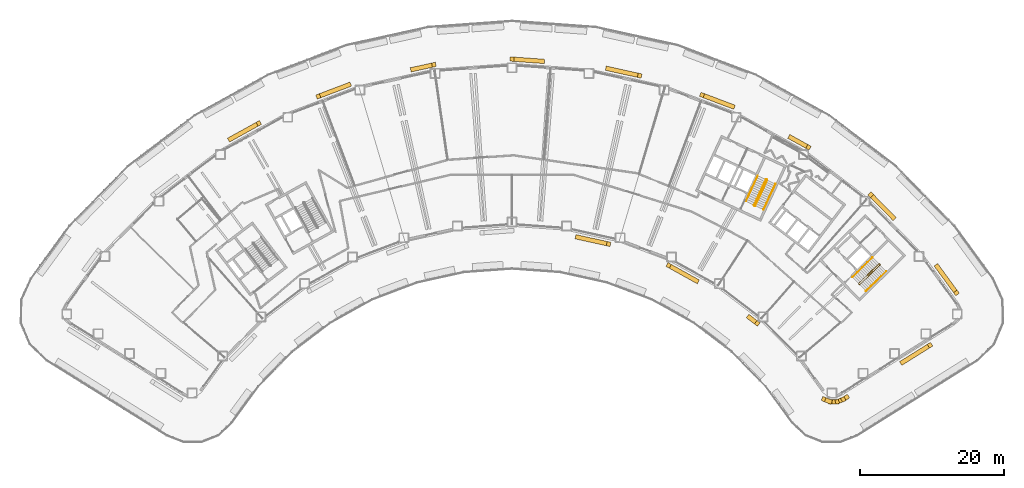
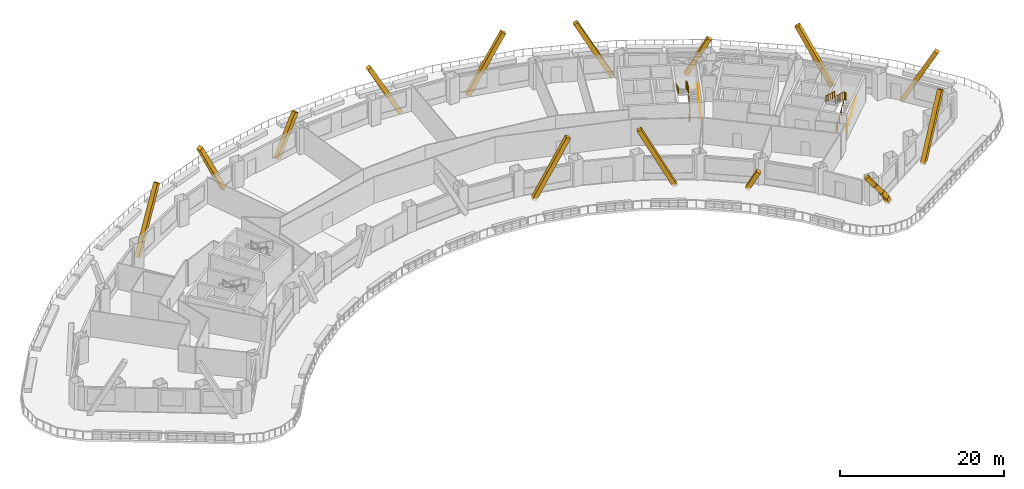
# One storey, part 11 of 12: 17 coverings, 6 railings.
"""IFC4 building model written with IfcOpenShell, lengths in metres."""

from ifc_helpers import new_model, si_unit, direction, frame, origin, origin_2d, place, context, subcontext, project, spatial, rectangle, circle, extrude, material, material_profile, profile_set, type_object, element, save


model = new_model("IFC4")

# Units and contexts
model_context = context("Model", 3, precision=1e-05, world=origin(), true_north=direction((0.0, 1.0)))
body_context = subcontext(model_context, "Body", "Model", "MODEL_VIEW")
ifc_project = project(units=[si_unit("LENGTHUNIT", "METRE"), si_unit("AREAUNIT", "SQUARE_METRE"), si_unit("VOLUMEUNIT", "CUBIC_METRE"), si_unit("PLANEANGLEUNIT", "RADIAN"), si_unit("MASSUNIT", "GRAM", prefix="KILO")], contexts=[model_context])

# Site, building, storey
site_placement = place(None, origin())
site = spatial("IfcSite", under=ifc_project, at=site_placement, CompositionType="ELEMENT")
building_placement = place(site_placement, origin())
building = spatial("IfcBuilding", under=site, at=building_placement, Name="Tuul Gate Civic Tower", CompositionType="ELEMENT")
storey_placement = place(building_placement, frame((0.0, 0.0, 31.5)))
storey = spatial("IfcBuildingStorey", under=building, at=storey_placement, Name="Level 06", CompositionType="ELEMENT", Elevation=31.5)

# Railings
ifc_material_1 = material(Name="Painted steel", Category="steel")
railing_type_1 = type_object("IfcRailingType", Name="Stair guard", PredefinedType="GUARDRAIL", material=ifc_material_1)
railing_1_placement = place(storey_placement, frame((48.10546875, -16.134765625, 0.0)))
element("IfcRailing", 1, at=railing_1_placement, inside=storey, type_object=railing_type_1, Name="Level 06 ST-3 stair guard 1", PredefinedType="GUARDRAIL", context=body_context, shape_type="SweptSolid", body=[
    extrude(circle(Radius=0.02392578125, at=origin_2d()), frame((0.0, 0.0, 1.076171875), z_axis=(-0.698506948293, 0.715603272202, 0.0), x_axis=(-0.715603272202, -0.698506948293, 0.0)), (0.0, 0.0, 1.0), 0.099853515625),
    extrude(circle(Radius=0.02392578125, at=origin_2d()), frame((-0.06982421875, 0.071533203125, 1.076171875), z_axis=(0.645446321009, -0.331687692741, 0.688027849131), x_axis=(0.457068866502, 0.889431307788, 0.0)), (0.0, 0.0, 1.0), 0.2177734375),
    extrude(circle(Radius=0.02392578125, at=origin_2d()), frame((0.07080078125, -0.000732421875, 1.22607421875), z_axis=(0.638715268259, 0.626117886127, 0.447235059857), x_axis=(-0.700029477518, 0.714113947914, 0.0)), (0.0, 0.0, 1.0), 4.360595703125),
    extrude(circle(Radius=0.02392578125, at=origin_2d()), frame((2.85595703125, 2.7294921875, 3.17626953125), z_axis=(0.010380063588, 0.999946125689, 0.0), x_axis=(-0.999946125689, 0.010380063588, 0.0)), (0.0, 0.0, 1.0), 0.070556640625),
    extrude(circle(Radius=0.02392578125, at=origin_2d()), frame((2.856689453125, 2.800048828125, 3.17626953125), z_axis=(-0.699754442181, 0.714383454909, 0.0), x_axis=(-0.714383454909, -0.699754442181, 0.0)), (0.0, 0.0, 1.0), 0.10009765625),
    extrude(circle(Radius=0.02392578125, at=origin_2d()), frame((2.78662109375, 2.87158203125, 3.17626953125), z_axis=(-0.427069033481, 0.004417955519, 0.904208229508), x_axis=(-0.010344274102, -0.999946496565, 0.0)), (0.0, 0.0, 1.0), 0.165771484375),
    extrude(circle(Radius=0.02392578125, at=origin_2d()), frame((2.7158203125, 2.872314453125, 3.326171875), z_axis=(-0.638731261263, -0.626133563701, 0.447190268558), x_axis=(0.700029477518, -0.714113947914, 0.0)), (0.0, 0.0, 1.0), 4.3603515625),
    extrude(circle(Radius=0.02099609375, at=origin_2d()), origin(), (0.0, 0.0, 1.0), 1.052001953125),
    extrude(circle(Radius=0.02099609375, at=origin_2d()), frame((-0.06982421875, 0.071533203125, 0.0)), (0.0, 0.0, 1.0), 1.052001953125),
    extrude(circle(Radius=0.02099609375, at=origin_2d()), frame((0.07080078125, -0.000732421875, 0.14990234375)), (0.0, 0.0, 1.0), 1.052001953125),
    extrude(circle(Radius=0.02099609375, at=origin_2d()), frame((0.76708984375, 0.681884765625, 0.637451171875)), (0.0, 0.0, 1.0), 1.052001953125),
    extrude(circle(Radius=0.02099609375, at=origin_2d()), frame((1.46337890625, 1.3642578125, 1.125)), (0.0, 0.0, 1.0), 1.052001953125),
    extrude(circle(Radius=0.02099609375, at=origin_2d()), frame((2.15966796875, 2.046875, 1.612548828125)), (0.0, 0.0, 1.0), 1.052001953125),
    extrude(circle(Radius=0.02099609375, at=origin_2d()), frame((2.85595703125, 2.7294921875, 2.10009765625)), (0.0, 0.0, 1.0), 1.052001953125),
    extrude(circle(Radius=0.02099609375, at=origin_2d()), frame((2.856689453125, 2.800048828125, 2.10009765625)), (0.0, 0.0, 1.0), 1.052001953125),
    extrude(circle(Radius=0.02099609375, at=origin_2d()), frame((2.78662109375, 2.87158203125, 2.10009765625)), (0.0, 0.0, 1.0), 1.052001953125),
    extrude(circle(Radius=0.02099609375, at=origin_2d()), frame((2.7158203125, 2.872314453125, 2.25)), (0.0, 0.0, 1.0), 1.052001953125),
    extrude(circle(Radius=0.02099609375, at=origin_2d()), frame((2.01953125, 2.189697265625, 2.737548828125)), (0.0, 0.0, 1.0), 1.052001953125),
    extrude(circle(Radius=0.02099609375, at=origin_2d()), frame((1.3232421875, 1.50732421875, 3.22509765625)), (0.0, 0.0, 1.0), 1.052001953125),
    extrude(circle(Radius=0.02099609375, at=origin_2d()), frame((0.626953125, 0.82470703125, 3.71240234375)), (0.0, 0.0, 1.0), 1.052001953125),
    extrude(circle(Radius=0.02099609375, at=origin_2d()), frame((-0.0693359375, 0.14208984375, 4.199951171875)), (0.0, 0.0, 1.0), 1.052001953125),
])
railing_2_placement = place(storey_placement, frame((33.645751953125, -5.238525390625, 0.0)))
element("IfcRailing", 2, at=railing_2_placement, inside=storey, type_object=railing_type_1, Name="Level 06 ST-4 stair guard 1", PredefinedType="GUARDRAIL", context=body_context, shape_type="SweptSolid", body=[
    extrude(circle(Radius=0.02392578125, at=origin_2d()), frame((0.0, 0.0, 1.076171875), z_axis=(-0.906307919131, 0.422617978463, 0.0), x_axis=(-0.422617978463, -0.906307919131, 0.0)), (0.0, 0.0, 1.0), 0.099853515625),
    extrude(circle(Radius=0.02392578125, at=origin_2d()), frame((-0.090576171875, 0.042236328125, 1.076171875), z_axis=(0.720735628292, -0.082946246491, 0.688229666829), x_axis=(0.114330889033, 0.993442724979, 0.0)), (0.0, 0.0, 1.0), 0.2177734375),
    extrude(circle(Radius=0.02392578125, at=origin_2d()), frame((0.06640625, 0.024169921875, 1.22607421875), z_axis=(0.377937439636, 0.810633814971, 0.447253965602), x_axis=(-0.906336612539, 0.422556439746, 0.0)), (0.0, 0.0, 1.0), 4.3603515625),
    extrude(circle(Radius=0.02392578125, at=origin_2d()), frame((1.71435546875, 3.558837890625, 3.17626953125), z_axis=(-0.342020437038, 0.939692513883, 0.0), x_axis=(-0.939692513883, -0.342020437038, 0.0)), (0.0, 0.0, 1.0), 0.070556640625),
    extrude(circle(Radius=0.02392578125, at=origin_2d()), frame((1.690185546875, 3.625244140625, 3.17626953125), z_axis=(-0.906307919131, 0.422617978463, 0.0), x_axis=(-0.422617978463, -0.906307919131, 0.0)), (0.0, 0.0, 1.0), 0.099853515625),
    extrude(circle(Radius=0.02392578125, at=origin_2d()), frame((1.599609375, 3.66748046875, 3.17626953125), z_axis=(-0.40070210376, -0.145843780413, 0.904526072458), x_axis=(0.342020437038, -0.939692513883, 0.0)), (0.0, 0.0, 1.0), 0.165771484375),
    extrude(circle(Radius=0.02392578125, at=origin_2d()), frame((1.533203125, 3.643310546875, 3.326171875), z_axis=(-0.377946903738, -0.810654114417, 0.447209173356), x_axis=(0.906336612539, -0.422556439746, 0.0)), (0.0, 0.0, 1.0), 4.3603515625),
    extrude(circle(Radius=0.02099609375, at=origin_2d()), origin(), (0.0, 0.0, 1.0), 1.052001953125),
    extrude(circle(Radius=0.02099609375, at=origin_2d()), frame((-0.090576171875, 0.042236328125, 0.0)), (0.0, 0.0, 1.0), 1.052001953125),
    extrude(circle(Radius=0.02099609375, at=origin_2d()), frame((0.06640625, 0.024169921875, 0.14990234375)), (0.0, 0.0, 1.0), 1.052001953125),
    extrude(circle(Radius=0.02099609375, at=origin_2d()), frame((0.478515625, 0.90771484375, 0.637451171875)), (0.0, 0.0, 1.0), 1.052001953125),
    extrude(circle(Radius=0.02099609375, at=origin_2d()), frame((0.890380859375, 1.79150390625, 1.125)), (0.0, 0.0, 1.0), 1.052001953125),
    extrude(circle(Radius=0.02099609375, at=origin_2d()), frame((1.30224609375, 2.67529296875, 1.612548828125)), (0.0, 0.0, 1.0), 1.052001953125),
    extrude(circle(Radius=0.02099609375, at=origin_2d()), frame((1.71435546875, 3.558837890625, 2.10009765625)), (0.0, 0.0, 1.0), 1.052001953125),
    extrude(circle(Radius=0.02099609375, at=origin_2d()), frame((1.690185546875, 3.625244140625, 2.10009765625)), (0.0, 0.0, 1.0), 1.052001953125),
    extrude(circle(Radius=0.02099609375, at=origin_2d()), frame((1.599609375, 3.66748046875, 2.10009765625)), (0.0, 0.0, 1.0), 1.052001953125),
    extrude(circle(Radius=0.02099609375, at=origin_2d()), frame((1.533203125, 3.643310546875, 2.25)), (0.0, 0.0, 1.0), 1.052001953125),
    extrude(circle(Radius=0.02099609375, at=origin_2d()), frame((1.12109375, 2.759765625, 2.737548828125)), (0.0, 0.0, 1.0), 1.052001953125),
    extrude(circle(Radius=0.02099609375, at=origin_2d()), frame((0.709228515625, 1.8759765625, 3.22509765625)), (0.0, 0.0, 1.0), 1.052001953125),
    extrude(circle(Radius=0.02099609375, at=origin_2d()), frame((0.29736328125, 0.9921875, 3.71240234375)), (0.0, 0.0, 1.0), 1.052001953125),
    extrude(circle(Radius=0.02099609375, at=origin_2d()), frame((-0.11474609375, 0.108642578125, 4.199951171875)), (0.0, 0.0, 1.0), 1.052001953125),
])
ifc_material_2 = material(Name="Painted steel", Category="steel")
railing_type_2 = type_object("IfcRailingType", Name="Stair handrail", PredefinedType="HANDRAIL", material=ifc_material_2)
railing_3_placement = place(storey_placement, frame((49.05126953125, -17.028076171875, 0.14990234375)))
element("IfcRailing", 3, at=railing_3_placement, inside=storey, type_object=railing_type_2, Name="Level 06 ST-3 stair handrail 1", PredefinedType="HANDRAIL", context=body_context, shape_type="SweptSolid", body=[
    extrude(circle(Radius=0.02392578125, at=origin_2d()), frame((0.0, 0.0, 0.8759765625), z_axis=(0.638737658801, 0.626083844733, 0.447250737947), x_axis=(-0.699997553204, 0.714145241186, 0.0)), (0.0, 0.0, 1.0), 4.3603515625),
    extrude(circle(Radius=0.02099609375, at=origin_2d()), origin(), (0.0, 0.0, 1.0), 0.851806640625),
    extrude(circle(Radius=0.02099609375, at=origin_2d()), frame((0.6962890625, 0.6826171875, 0.487548828125)), (0.0, 0.0, 1.0), 0.851806640625),
    extrude(circle(Radius=0.02099609375, at=origin_2d()), frame((1.392578125, 1.364990234375, 0.97509765625)), (0.0, 0.0, 1.0), 0.851806640625),
    extrude(circle(Radius=0.02099609375, at=origin_2d()), frame((2.0888671875, 2.04736328125, 1.462646484375)), (0.0, 0.0, 1.0), 0.851806640625),
    extrude(circle(Radius=0.02099609375, at=origin_2d()), frame((2.78515625, 2.72998046875, 1.9501953125)), (0.0, 0.0, 1.0), 0.851806640625),
])
railing_4_placement = place(storey_placement, frame((49.9462890625, -12.369873046875, 2.25)))
element("IfcRailing", 4, at=railing_4_placement, inside=storey, type_object=railing_type_2, Name="Level 06 ST-3 stair handrail 2", PredefinedType="HANDRAIL", context=body_context, shape_type="SweptSolid", body=[
    extrude(circle(Radius=0.02392578125, at=origin_2d()), frame((0.0, 0.0, 0.8759765625), z_axis=(-0.638753653487, -0.626099522554, 0.447205945863), x_axis=(0.699997553204, -0.714145241186, 0.0)), (0.0, 0.0, 1.0), 4.3603515625),
    extrude(circle(Radius=0.02099609375, at=origin_2d()), origin(), (0.0, 0.0, 1.0), 0.851806640625),
    extrude(circle(Radius=0.02099609375, at=origin_2d()), frame((-0.6962890625, -0.6826171875, 0.487548828125)), (0.0, 0.0, 1.0), 0.851806640625),
    extrude(circle(Radius=0.02099609375, at=origin_2d()), frame((-1.392578125, -1.364990234375, 0.97509765625)), (0.0, 0.0, 1.0), 0.851806640625),
    extrude(circle(Radius=0.02099609375, at=origin_2d()), frame((-2.0888671875, -2.04736328125, 1.46240234375)), (0.0, 0.0, 1.0), 0.851806640625),
    extrude(circle(Radius=0.02099609375, at=origin_2d()), frame((-2.78515625, -2.72998046875, 1.949951171875)), (0.0, 0.0, 1.0), 0.851806640625),
])
railing_5_placement = place(storey_placement, frame((34.844970703125, -5.74267578125, 0.14990234375)))
element("IfcRailing", 5, at=railing_5_placement, inside=storey, type_object=railing_type_2, Name="Level 06 ST-4 stair handrail 1", PredefinedType="HANDRAIL", context=body_context, shape_type="SweptSolid", body=[
    extrude(circle(Radius=0.02392578125, at=origin_2d()), frame((0.0, 0.0, 0.8759765625), z_axis=(0.377985431313, 0.810616660428, 0.447244500863), x_axis=(-0.906312636903, 0.422607861012, 0.0)), (0.0, 0.0, 1.0), 4.3603515625),
    extrude(circle(Radius=0.02099609375, at=origin_2d()), origin(), (0.0, 0.0, 1.0), 0.851806640625),
    extrude(circle(Radius=0.02099609375, at=origin_2d()), frame((0.412109375, 0.8837890625, 0.487548828125)), (0.0, 0.0, 1.0), 0.851806640625),
    extrude(circle(Radius=0.02099609375, at=origin_2d()), frame((0.82421875, 1.767333984375, 0.97509765625)), (0.0, 0.0, 1.0), 0.851806640625),
    extrude(circle(Radius=0.02099609375, at=origin_2d()), frame((1.236083984375, 2.65087890625, 1.462646484375)), (0.0, 0.0, 1.0), 0.851806640625),
    extrude(circle(Radius=0.02099609375, at=origin_2d()), frame((1.648193359375, 3.53466796875, 1.9501953125)), (0.0, 0.0, 1.0), 0.851806640625),
])
railing_6_placement = place(storey_placement, frame((34.046142578125, -1.06689453125, 2.25)))
element("IfcRailing", 6, at=railing_6_placement, inside=storey, type_object=railing_type_2, Name="Level 06 ST-4 stair handrail 2", PredefinedType="HANDRAIL", context=body_context, shape_type="SweptSolid", body=[
    extrude(circle(Radius=0.02392578125, at=origin_2d()), frame((0.0, 0.0, 0.8759765625), z_axis=(-0.377994896215, -0.810636958585, 0.447199709091), x_axis=(0.906312636903, -0.422607861012, 0.0)), (0.0, 0.0, 1.0), 4.3603515625),
    extrude(circle(Radius=0.02099609375, at=origin_2d()), origin(), (0.0, 0.0, 1.0), 0.851806640625),
    extrude(circle(Radius=0.02099609375, at=origin_2d()), frame((-0.412109375, -0.8837890625, 0.487548828125)), (0.0, 0.0, 1.0), 0.851806640625),
    extrude(circle(Radius=0.02099609375, at=origin_2d()), frame((-0.82421875, -1.767333984375, 0.97509765625)), (0.0, 0.0, 1.0), 0.851806640625),
    extrude(circle(Radius=0.02099609375, at=origin_2d()), frame((-1.236083984375, -2.65087890625, 1.46240234375)), (0.0, 0.0, 1.0), 0.851806640625),
    extrude(circle(Radius=0.02099609375, at=origin_2d()), frame((-1.648193359375, -3.53466796875, 1.949951171875)), (0.0, 0.0, 1.0), 0.851806640625),
])

# Coverings
ifc_material_3 = material(Name="Terracotta baguette", Category="masonry")
ifc_material_profile = material_profile(ifc_material_3, rectangle(XDim=0.60009765625, YDim=0.60009765625, at=origin_2d()), Name="Terracotta baguette screen frame")
ifc_profile_set = profile_set([ifc_material_profile], Name="Terracotta baguette")
covering_type = type_object("IfcCoveringType", Name="Terracotta baguette screen frame", PredefinedType="CLADDING", material=ifc_profile_set)
covering_1_placement = place(storey_placement, frame((54.0625, -26.92529296875, -0.35009765625), z_axis=(0.402286551729, 0.25135553547, 0.880332849033), x_axis=(-0.529887423043, 0.848067991909, 0.0)))
element("IfcCovering", 7, at=covering_1_placement, inside=storey, type_object=covering_type, Name="Baguette 1", PredefinedType="CLADDING", context=body_context, shape_type="SweptSolid", body=[
    extrude(rectangle(XDim=0.60009765625, YDim=0.60009765625, at=origin_2d()), origin(), (0.0, 0.0, 1.0), 9.5419921875),
])
covering_2_placement = place(storey_placement, frame((61.5595703125, -17.285888671875, 8.050048828125), z_axis=(-0.2813642373, 0.385225062434, -0.878883278508), x_axis=(-0.807537279361, -0.589816532866, 0.0)))
element("IfcCovering", 8, at=covering_2_placement, inside=storey, type_object=covering_type, Name="Baguette 17", PredefinedType="CLADDING", context=body_context, shape_type="SweptSolid", body=[
    extrude(rectangle(XDim=0.60009765625, YDim=0.60009765625, at=origin_2d()), origin(), (0.0, 0.0, 1.0), 9.557861328125),
])
covering_3_placement = place(storey_placement, frame((49.693603515625, -3.690185546875, 7.8818359375), z_axis=(0.332614870984, -0.339347542938, -0.879892375636), x_axis=(0.714155733534, 0.699986848634, 0.0)))
element("IfcCovering", 9, at=covering_3_placement, inside=storey, type_object=covering_type, Name="Baguette 32", PredefinedType="CLADDING", context=body_context, shape_type="SweptSolid", body=[
    extrude(rectangle(XDim=0.60009765625, YDim=0.60009765625, at=origin_2d()), origin(), (0.0, 0.0, 1.0), 9.355712890625),
])
covering_4_placement = place(storey_placement, frame((41.06005859375, 2.883544921875, 4.924072265625), z_axis=(-0.415573698908, 0.230371933846, -0.879901854113), x_axis=(-0.484834849005, -0.874605722135, 0.0)))
element("IfcCovering", 10, at=covering_4_placement, inside=storey, type_object=covering_type, Name="Baguette 38", PredefinedType="CLADDING", context=body_context, shape_type="SweptSolid", body=[
    extrude(rectangle(XDim=0.60009765625, YDim=0.60009765625, at=origin_2d()), origin(), (0.0, 0.0, 1.0), 5.994140625),
])
covering_5_placement = place(storey_placement, frame((26.325927734375, 10.126708984375, 8.050048828125), z_axis=(0.444461438316, -0.168041203175, -0.879895552827), x_axis=(0.353646511094, 0.935379145155, 0.0)))
element("IfcCovering", 11, at=covering_5_placement, inside=storey, type_object=covering_type, Name="Baguette 53", PredefinedType="CLADDING", context=body_context, shape_type="SweptSolid", body=[
    extrude(rectangle(XDim=0.60009765625, YDim=0.60009765625, at=origin_2d()), origin(), (0.0, 0.0, 1.0), 9.546875),
])
covering_6_placement = place(storey_placement, frame((17.682373046875, 12.8056640625, 8.050048828125), z_axis=(-0.464025116939, 0.10229266838, -0.879895960239), x_axis=(-0.215277575, -0.976552899592, 0.0)))
element("IfcCovering", 12, at=covering_6_placement, inside=storey, type_object=covering_type, Name="Baguette 59", PredefinedType="CLADDING", context=body_context, shape_type="SweptSolid", body=[
    extrude(rectangle(XDim=0.60009765625, YDim=0.60009765625, at=origin_2d()), origin(), (0.0, 0.0, 1.0), 9.546630859375),
])
covering_7_placement = place(storey_placement, frame((0.0, 15.10205078125, 7.551025390625), z_axis=(0.47392073941, -0.034338930289, -0.879897704636), x_axis=(0.072267661138, 0.997385274181, 0.0)))
element("IfcCovering", 13, at=covering_7_placement, inside=storey, type_object=covering_type, Name="Baguette 74", PredefinedType="CLADDING", context=body_context, shape_type="SweptSolid", body=[
    extrude(rectangle(XDim=0.60009765625, YDim=0.60009765625, at=origin_2d()), origin(), (0.0, 0.0, 1.0), 8.9794921875),
])
covering_8_placement = place(storey_placement, frame((-10.822509765625, 14.318115234375, 5.256103515625), z_axis=(-0.463998759737, -0.102310404534, -0.879907797492), x_axis=(0.215324834594, -0.976542480186, 0.0)))
element("IfcCovering", 14, at=covering_8_placement, inside=storey, type_object=covering_type, Name="Baguette 80", PredefinedType="CLADDING", context=body_context, shape_type="SweptSolid", body=[
    extrude(rectangle(XDim=0.60009765625, YDim=0.60009765625, at=origin_2d()), origin(), (0.0, 0.0, 1.0), 6.371337890625),
])
for number, where, z_axis, x_axis, name in (
    (15, (-26.830078125, 9.93603515625, 8.050048828125), (0.444440916685, 0.168043113156, -0.879905553851), (-0.353664314999, 0.935372413692, 0.0), "Baguette 95"),
    (16, (-35.072998046875, 6.2021484375, 8.050048828125), (-0.415571096268, -0.230341468559, -0.879911059033), (0.484788124357, -0.87463162216, 0.0), "Baguette 101"),
):
    element("IfcCovering", number, at=place(storey_placement, frame(where, z_axis=z_axis, x_axis=x_axis)), inside=storey, type_object=covering_type, Name=name, PredefinedType="CLADDING", context=body_context, shape_type="SweptSolid", body=[
        extrude(rectangle(XDim=0.60009765625, YDim=0.60009765625, at=origin_2d()), origin(), (0.0, 0.0, 1.0), 9.546630859375),
    ])
covering_9_placement = place(storey_placement, frame((13.3779296875, -10.513916015625, 8.050048828125), z_axis=(-0.455202274542, 0.100333235907, -0.884716977923), x_axis=(-0.21524797351, -0.976559424664, 0.0)))
element("IfcCovering", 17, at=covering_9_placement, inside=storey, type_object=covering_type, Name="Baguette 228", PredefinedType="CLADDING", context=body_context, shape_type="SweptSolid", body=[
    extrude(rectangle(XDim=0.60009765625, YDim=0.60009765625, at=origin_2d()), origin(), (0.0, 0.0, 1.0), 9.49462890625),
])
covering_10_placement = place(storey_placement, frame((21.70263671875, -13.48388671875, 8.050048828125), z_axis=(0.407707160456, -0.225966859617, -0.884711167369), x_axis=(0.484762177087, 0.87464600363, 0.0)))
element("IfcCovering", 18, at=covering_10_placement, inside=storey, type_object=covering_type, Name="Baguette 236", PredefinedType="CLADDING", context=body_context, shape_type="SweptSolid", body=[
    extrude(rectangle(XDim=0.60009765625, YDim=0.60009765625, at=origin_2d()), origin(), (0.0, 0.0, 1.0), 9.494873046875),
])
covering_11_placement = place(storey_placement, frame((33.970458984375, -21.5068359375, 2.3427734375), z_axis=(-0.370882914381, 0.282413222651, -0.884696917307), x_axis=(-0.605820279821, -0.795601526241, 0.0)))
element("IfcCovering", 19, at=covering_11_placement, inside=storey, type_object=covering_type, Name="Baguette 251", PredefinedType="CLADDING", context=body_context, shape_type="SweptSolid", body=[
    extrude(rectangle(XDim=0.60009765625, YDim=0.60009765625, at=origin_2d()), origin(), (0.0, 0.0, 1.0), 3.0439453125),
])
covering_12_placement = place(storey_placement, frame((43.166259765625, -32.000732421875, 4.61181640625), z_axis=(0.560251001878, -0.222046096727, -0.798006482319), x_axis=(0.36845020329, 0.929647485715, 0.0)))
element("IfcCovering", 20, at=covering_12_placement, inside=storey, type_object=covering_type, Name="Baguette 260", PredefinedType="CLADDING", context=body_context, shape_type="SweptSolid", body=[
    extrude(rectangle(XDim=0.60009765625, YDim=0.60009765625, at=origin_2d()), origin(), (0.0, 0.0, 1.0), 1.6162109375),
])
covering_13_placement = place(storey_placement, frame((44.07177734375, -32.359619140625, 3.322021484375), z_axis=(0.602584149107, -0.001662926653, -0.798053618449), x_axis=(0.002759648297, 0.999996192163, 0.0)))
element("IfcCovering", 21, at=covering_13_placement, inside=storey, type_object=covering_type, Name="Baguette 261", PredefinedType="CLADDING", context=body_context, shape_type="SweptSolid", body=[
    extrude(rectangle(XDim=0.60009765625, YDim=0.60009765625, at=origin_2d()), origin(), (0.0, 0.0, 1.0), 1.614990234375),
])
covering_14_placement = place(storey_placement, frame((45.044921875, -32.3623046875, 2.033203125), z_axis=(0.534027838207, 0.207867231209, -0.819515394736), x_axis=(-0.362733847194, 0.93189278144, 0.0)))
element("IfcCovering", 22, at=covering_14_placement, inside=storey, type_object=covering_type, Name="Baguette 262", PredefinedType="CLADDING", context=body_context, shape_type="SweptSolid", body=[
    extrude(rectangle(XDim=0.60009765625, YDim=0.60009765625, at=origin_2d()), origin(), (0.0, 0.0, 1.0), 1.57275390625),
])
covering_15_placement = place(storey_placement, frame((45.884765625, -32.035400390625, 0.744384765625), z_axis=(0.402352266006, 0.251347438013, -0.880305128603), x_axis=(-0.52981289744, 0.848114552231, 0.0)))
element("IfcCovering", 23, at=covering_15_placement, inside=storey, type_object=covering_type, Name="Baguette 263", PredefinedType="CLADDING", context=body_context, shape_type="SweptSolid", body=[
    extrude(rectangle(XDim=0.60009765625, YDim=0.60009765625, at=origin_2d()), origin(), (0.0, 0.0, 1.0), 1.243408203125),
])

save(model, "model.ifc")
